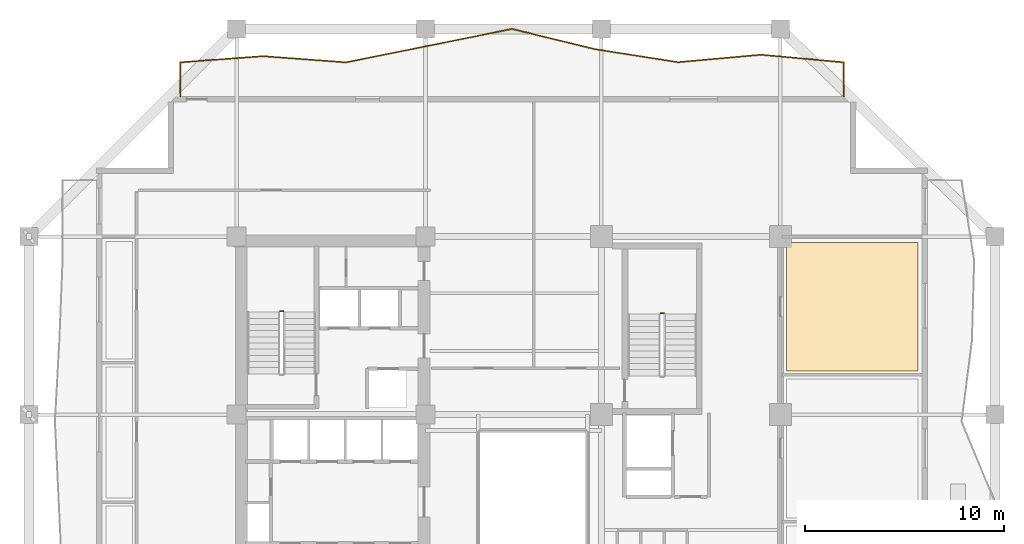
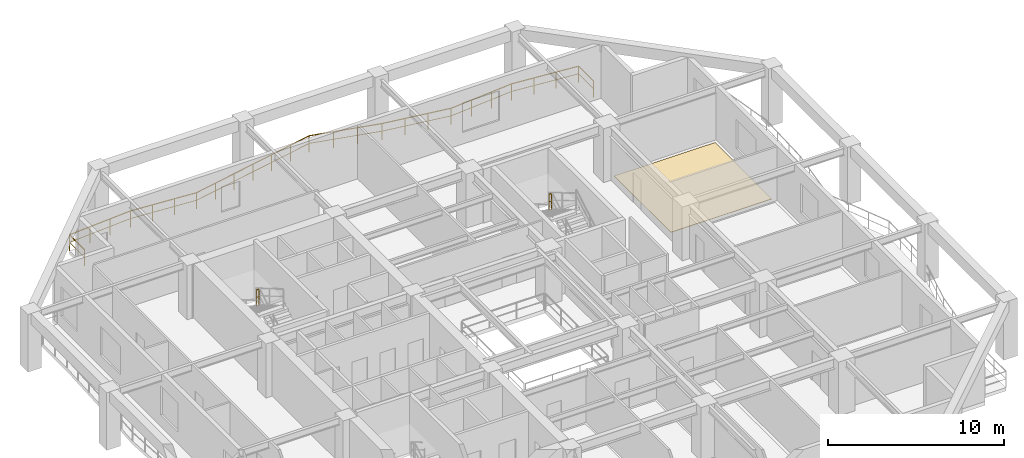
# One storey, part 10 of 11: 3 railings, 1 covering.
"""IFC4 building model written with IfcOpenShell, lengths in metres."""

from ifc_helpers import new_model, si_unit, direction, frame, origin, origin_2d, place, context, subcontext, project, spatial, polyline, rectangle, outline, extrude, material, layer, layer_set, type_object, element, save


model = new_model("IFC4")

# Units and contexts
model_context = context("Model", 3, precision=1e-05, world=origin(), true_north=direction((0.0, 1.0)))
body_context = subcontext(model_context, "Body", "Model", "MODEL_VIEW")
ifc_project = project(units=[si_unit("LENGTHUNIT", "METRE"), si_unit("AREAUNIT", "SQUARE_METRE"), si_unit("VOLUMEUNIT", "CUBIC_METRE"), si_unit("PLANEANGLEUNIT", "RADIAN"), si_unit("MASSUNIT", "GRAM", prefix="KILO")], contexts=[model_context])

# Site, building, storey
site_placement = place(None, origin())
site = spatial("IfcSite", under=ifc_project, at=site_placement, CompositionType="ELEMENT")
building_placement = place(site_placement, origin())
building = spatial("IfcBuilding", under=site, at=building_placement, Name="Kundavana Baori Tower", CompositionType="ELEMENT")
storey_placement = place(building_placement, frame((0.0, 0.0, 86.0)))
storey = spatial("IfcBuildingStorey", under=building, at=storey_placement, Name="L20", CompositionType="ELEMENT", Elevation=86.0)

# Covering
ifc_material_1 = material(Name="Honed Kota Stone and Terrazzo Flooring", Category="masonry")
ifc_layer = layer(ifc_material_1, 0.030029296875, Name="COV-INT-FLR")
ifc_layer_set = layer_set([ifc_layer], Name="Honed Kota Stone and Terrazzo Flooring")
covering_type = type_object("IfcCoveringType", Name="COV-INT-FLR", PredefinedType="FLOORING", material=ifc_layer_set)
covering_placement = place(storey_placement, origin())
element("IfcCovering", 1, at=covering_placement, inside=storey, type_object=covering_type, Name="L20 Room Finished Stone Flooring 11", PredefinedType="FLOORING", context=body_context, shape_type="SweptSolid", body=[
    extrude(outline(polyline([(43.10009765625, 35.199951171875), (49.719970703125, 35.199951171875), (49.719970703125, 41.64990234375), (43.10009765625, 41.64990234375), (43.10009765625, 35.199951171875)])), origin(), (0.0, 0.0, 1.0), 0.030029296875),
])

# Railings
ifc_material_2 = material(Name="Architectural Patinated Bronze Metalwork")
railing_type_1 = type_object("IfcRailingType", Name="RL-BAL-1150", PredefinedType="BALUSTRADE", material=ifc_material_2)
railing_1_placement = place(storey_placement, frame((12.60009765625, 49.0, 0.0)))
element("IfcRailing", 2, at=railing_1_placement, inside=storey, type_object=railing_type_1, Name="L20 Loggia Balcony Balustrade N", PredefinedType="BALUSTRADE", context=body_context, shape_type="SweptSolid", body=[
    extrude(rectangle(XDim=0.048095703125, YDim=0.048095703125, at=origin_2d()), frame((0.0, 0.0, 1.1259765625), z_axis=(0.0, 1.0, 0.0), x_axis=(-1.0, 0.0, 0.0)), (0.0, 0.0, 1.0), 1.719970703125),
    extrude(rectangle(XDim=0.03125, YDim=0.03125, at=origin_2d()), frame((0.0, 0.0, 0.597900390625), z_axis=(0.0, 1.0, 0.0), x_axis=(-1.0, 0.0, 0.0)), (0.0, 0.0, 1.0), 1.719970703125),
    extrude(rectangle(XDim=0.048095703125, YDim=0.048095703125, at=origin_2d()), frame((0.0, 1.719970703125, 1.1259765625), z_axis=(0.997218847602, 0.074528987558, 0.0), x_axis=(-0.074528987558, 0.997218847602, 0.0)), (0.0, 0.0, 1.0), 4.1865234375),
    extrude(rectangle(XDim=0.03125, YDim=0.03125, at=origin_2d()), frame((0.0, 1.719970703125, 0.597900390625), z_axis=(0.997218847602, 0.074528987558, 0.0), x_axis=(-0.074528987558, 0.997218847602, 0.0)), (0.0, 0.0, 1.0), 4.1865234375),
    extrude(rectangle(XDim=0.048095703125, YDim=0.048095703125, at=origin_2d()), frame((4.1748046875, 2.031982421875, 1.1259765625), z_axis=(0.997236479656, -0.074292689029, 0.0), x_axis=(0.074292689029, 0.997236479656, 0.0)), (0.0, 0.0, 1.0), 4.1865234375),
    extrude(rectangle(XDim=0.03125, YDim=0.03125, at=origin_2d()), frame((4.1748046875, 2.031982421875, 0.597900390625), z_axis=(0.997236479656, -0.074292689029, 0.0), x_axis=(0.074292689029, 0.997236479656, 0.0)), (0.0, 0.0, 1.0), 4.1865234375),
    extrude(rectangle(XDim=0.048095703125, YDim=0.048095703125, at=origin_2d()), frame((8.349853515625, 1.720947265625, 1.1259765625), z_axis=(0.980261915686, 0.197703254032, 0.0), x_axis=(-0.197703254032, 0.980261915686, 0.0)), (0.0, 0.0, 1.0), 4.259033203125),
    extrude(rectangle(XDim=0.03125, YDim=0.03125, at=origin_2d()), frame((8.349853515625, 1.720947265625, 0.597900390625), z_axis=(0.980261915686, 0.197703254032, 0.0), x_axis=(-0.197703254032, 0.980261915686, 0.0)), (0.0, 0.0, 1.0), 4.259033203125),
    extrude(rectangle(XDim=0.048095703125, YDim=0.048095703125, at=origin_2d()), frame((12.52490234375, 2.56298828125, 1.1259765625), z_axis=(0.980494578136, 0.196546132615, 0.0), x_axis=(-0.196546132615, 0.980494578136, 0.0)), (0.0, 0.0, 1.0), 4.258056640625),
    extrude(rectangle(XDim=0.03125, YDim=0.03125, at=origin_2d()), frame((12.52490234375, 2.56298828125, 0.597900390625), z_axis=(0.980494578136, 0.196546132615, 0.0), x_axis=(-0.196546132615, 0.980494578136, 0.0)), (0.0, 0.0, 1.0), 4.258056640625),
    extrude(rectangle(XDim=0.048095703125, YDim=0.048095703125, at=origin_2d()), frame((16.699951171875, 3.39990234375, 1.1259765625), z_axis=(0.971702860803, -0.236206583963, 0.0), x_axis=(0.236206583963, 0.971702860803, 0.0)), (0.0, 0.0, 1.0), 4.296630859375),
    extrude(rectangle(XDim=0.03125, YDim=0.03125, at=origin_2d()), frame((16.699951171875, 3.39990234375, 0.597900390625), z_axis=(0.971702860803, -0.236206583963, 0.0), x_axis=(0.236206583963, 0.971702860803, 0.0)), (0.0, 0.0, 1.0), 4.296630859375),
    extrude(rectangle(XDim=0.048095703125, YDim=0.048095703125, at=origin_2d()), frame((20.875, 2.385009765625, 1.1259765625), z_axis=(0.987878391011, -0.155229779921, 0.0), x_axis=(0.155229779921, 0.987878391011, 0.0)), (0.0, 0.0, 1.0), 4.22607421875),
    extrude(rectangle(XDim=0.03125, YDim=0.03125, at=origin_2d()), frame((20.875, 2.385009765625, 0.597900390625), z_axis=(0.987878391011, -0.155229779921, 0.0), x_axis=(0.155229779921, 0.987878391011, 0.0)), (0.0, 0.0, 1.0), 4.22607421875),
    extrude(rectangle(XDim=0.048095703125, YDim=0.048095703125, at=origin_2d()), frame((25.0498046875, 1.72900390625, 1.1259765625), z_axis=(0.995948869325, 0.0899213528, 0.0), x_axis=(-0.0899213528, 0.995948869325, 0.0)), (0.0, 0.0, 1.0), 4.192138671875),
    extrude(rectangle(XDim=0.03125, YDim=0.03125, at=origin_2d()), frame((25.0498046875, 1.72900390625, 0.597900390625), z_axis=(0.995948869325, 0.0899213528, 0.0), x_axis=(-0.0899213528, 0.995948869325, 0.0)), (0.0, 0.0, 1.0), 4.192138671875),
    extrude(rectangle(XDim=0.048095703125, YDim=0.048095703125, at=origin_2d()), frame((29.224853515625, 2.10595703125, 1.1259765625), z_axis=(0.995753632316, -0.092058154066, 0.0), x_axis=(0.092058154066, 0.995753632316, 0.0)), (0.0, 0.0, 1.0), 4.19287109375),
    extrude(rectangle(XDim=0.03125, YDim=0.03125, at=origin_2d()), frame((29.224853515625, 2.10595703125, 0.597900390625), z_axis=(0.995753632316, -0.092058154066, 0.0), x_axis=(0.092058154066, 0.995753632316, 0.0)), (0.0, 0.0, 1.0), 4.19287109375),
    extrude(rectangle(XDim=0.048095703125, YDim=0.048095703125, at=origin_2d()), frame((33.39990234375, 1.719970703125, 1.1259765625), z_axis=(0.0, -1.0, 0.0), x_axis=(1.0, 0.0, 0.0)), (0.0, 0.0, 1.0), 1.719970703125),
    extrude(rectangle(XDim=0.03125, YDim=0.03125, at=origin_2d()), frame((33.39990234375, 1.719970703125, 0.597900390625), z_axis=(0.0, -1.0, 0.0), x_axis=(1.0, 0.0, 0.0)), (0.0, 0.0, 1.0), 1.719970703125),
    extrude(rectangle(XDim=0.0419921875, YDim=0.0419921875, at=origin_2d()), origin(), (0.0, 0.0, 1.0), 1.101806640625),
    extrude(rectangle(XDim=0.0419921875, YDim=0.0419921875, at=origin_2d()), frame((0.0, 1.719970703125, 0.0)), (0.0, 0.0, 1.0), 1.101806640625),
    extrude(rectangle(XDim=0.0419921875, YDim=0.0419921875, at=origin_2d()), frame((1.3916015625, 1.823974609375, 0.0)), (0.0, 0.0, 1.0), 1.101806640625),
    extrude(rectangle(XDim=0.0419921875, YDim=0.0419921875, at=origin_2d()), frame((2.783203125, 1.927978515625, 0.0)), (0.0, 0.0, 1.0), 1.101806640625),
    extrude(rectangle(XDim=0.0419921875, YDim=0.0419921875, at=origin_2d()), frame((4.1748046875, 2.031982421875, 0.0)), (0.0, 0.0, 1.0), 1.101806640625),
    extrude(rectangle(XDim=0.0419921875, YDim=0.0419921875, at=origin_2d()), frame((5.56640625, 1.92822265625, 0.0)), (0.0, 0.0, 1.0), 1.101806640625),
    extrude(rectangle(XDim=0.0419921875, YDim=0.0419921875, at=origin_2d()), frame((6.958251953125, 1.82470703125, 0.0)), (0.0, 0.0, 1.0), 1.101806640625),
    extrude(rectangle(XDim=0.0419921875, YDim=0.0419921875, at=origin_2d()), frame((8.349853515625, 1.720947265625, 0.0)), (0.0, 0.0, 1.0), 1.101806640625),
    extrude(rectangle(XDim=0.0419921875, YDim=0.0419921875, at=origin_2d()), frame((9.741455078125, 2.001708984375, 0.0)), (0.0, 0.0, 1.0), 1.101806640625),
    extrude(rectangle(XDim=0.0419921875, YDim=0.0419921875, at=origin_2d()), frame((11.13330078125, 2.2822265625, 0.0)), (0.0, 0.0, 1.0), 1.101806640625),
    extrude(rectangle(XDim=0.0419921875, YDim=0.0419921875, at=origin_2d()), frame((12.52490234375, 2.56298828125, 0.0)), (0.0, 0.0, 1.0), 1.101806640625),
    extrude(rectangle(XDim=0.0419921875, YDim=0.0419921875, at=origin_2d()), frame((13.91650390625, 2.842041015625, 0.0)), (0.0, 0.0, 1.0), 1.101806640625),
    extrude(rectangle(XDim=0.0419921875, YDim=0.0419921875, at=origin_2d()), frame((15.308349609375, 3.120849609375, 0.0)), (0.0, 0.0, 1.0), 1.101806640625),
    extrude(rectangle(XDim=0.0419921875, YDim=0.0419921875, at=origin_2d()), frame((16.699951171875, 3.39990234375, 0.0)), (0.0, 0.0, 1.0), 1.101806640625),
    extrude(rectangle(XDim=0.0419921875, YDim=0.0419921875, at=origin_2d()), frame((18.091552734375, 3.0615234375, 0.0)), (0.0, 0.0, 1.0), 1.101806640625),
    extrude(rectangle(XDim=0.0419921875, YDim=0.0419921875, at=origin_2d()), frame((19.4833984375, 2.723388671875, 0.0)), (0.0, 0.0, 1.0), 1.101806640625),
    extrude(rectangle(XDim=0.0419921875, YDim=0.0419921875, at=origin_2d()), frame((20.875, 2.385009765625, 0.0)), (0.0, 0.0, 1.0), 1.101806640625),
    extrude(rectangle(XDim=0.0419921875, YDim=0.0419921875, at=origin_2d()), frame((22.2666015625, 2.166259765625, 0.0)), (0.0, 0.0, 1.0), 1.101806640625),
    extrude(rectangle(XDim=0.0419921875, YDim=0.0419921875, at=origin_2d()), frame((23.658203125, 1.94775390625, 0.0)), (0.0, 0.0, 1.0), 1.101806640625),
    extrude(rectangle(XDim=0.0419921875, YDim=0.0419921875, at=origin_2d()), frame((25.0498046875, 1.72900390625, 0.0)), (0.0, 0.0, 1.0), 1.101806640625),
    extrude(rectangle(XDim=0.0419921875, YDim=0.0419921875, at=origin_2d()), frame((26.44140625, 1.854736328125, 0.0)), (0.0, 0.0, 1.0), 1.101806640625),
    extrude(rectangle(XDim=0.0419921875, YDim=0.0419921875, at=origin_2d()), frame((27.833251953125, 1.980224609375, 0.0)), (0.0, 0.0, 1.0), 1.101806640625),
    extrude(rectangle(XDim=0.0419921875, YDim=0.0419921875, at=origin_2d()), frame((29.224853515625, 2.10595703125, 0.0)), (0.0, 0.0, 1.0), 1.101806640625),
    extrude(rectangle(XDim=0.0419921875, YDim=0.0419921875, at=origin_2d()), frame((30.616455078125, 1.977294921875, 0.0)), (0.0, 0.0, 1.0), 1.101806640625),
    extrude(rectangle(XDim=0.0419921875, YDim=0.0419921875, at=origin_2d()), frame((32.00830078125, 1.8486328125, 0.0)), (0.0, 0.0, 1.0), 1.101806640625),
    extrude(rectangle(XDim=0.0419921875, YDim=0.0419921875, at=origin_2d()), frame((33.39990234375, 1.719970703125, 0.0)), (0.0, 0.0, 1.0), 1.101806640625),
    extrude(rectangle(XDim=0.0419921875, YDim=0.0419921875, at=origin_2d()), frame((33.39990234375, 0.0, 0.0)), (0.0, 0.0, 1.0), 1.101806640625),
])
ifc_material_3 = material(Name="Architectural Patinated Bronze Metalwork")
railing_type_2 = type_object("IfcRailingType", Name="RL-GRD-1150", PredefinedType="GUARDRAIL", material=ifc_material_3)
railing_2_placement = place(storey_placement, frame((17.7900390625, 38.199951171875, 2.0)))
element("IfcRailing", 3, at=railing_2_placement, inside=storey, type_object=railing_type_2, Name="L20 ST2 stair guard 2", PredefinedType="GUARDRAIL", context=body_context, shape_type="SweptSolid", body=[
    extrude(rectangle(XDim=0.048095703125, YDim=0.048095703125, at=origin_2d()), frame((0.0, 0.0, 1.1259765625), z_axis=(-1.0, 0.0, 0.0), x_axis=(0.0, -1.0, 0.0)), (0.0, 0.0, 1.0), 0.16015625),
    extrude(rectangle(XDim=0.03125, YDim=0.03125, at=origin_2d()), frame((0.0, 0.0, 0.597900390625), z_axis=(-1.0, 0.0, 0.0), x_axis=(0.0, -1.0, 0.0)), (0.0, 0.0, 1.0), 0.16015625),
    extrude(rectangle(XDim=0.0419921875, YDim=0.0419921875, at=origin_2d()), origin(), (0.0, 0.0, 1.0), 1.101806640625),
    extrude(rectangle(XDim=0.0419921875, YDim=0.0419921875, at=origin_2d()), frame((-0.16015625, 0.0, 0.0)), (0.0, 0.0, 1.0), 1.101806640625),
])
railing_3_placement = place(storey_placement, frame((36.929931640625, 38.10009765625, 2.0)))
element("IfcRailing", 4, at=railing_3_placement, inside=storey, type_object=railing_type_2, Name="L20 ST3 stair guard 2", PredefinedType="GUARDRAIL", context=body_context, shape_type="SweptSolid", body=[
    extrude(rectangle(XDim=0.048095703125, YDim=0.048095703125, at=origin_2d()), frame((0.0, 0.0, 1.1259765625), z_axis=(-1.0, 0.0, 0.0), x_axis=(0.0, -1.0, 0.0)), (0.0, 0.0, 1.0), 0.159912109375),
    extrude(rectangle(XDim=0.03125, YDim=0.03125, at=origin_2d()), frame((0.0, 0.0, 0.597900390625), z_axis=(-1.0, 0.0, 0.0), x_axis=(0.0, -1.0, 0.0)), (0.0, 0.0, 1.0), 0.159912109375),
    extrude(rectangle(XDim=0.0419921875, YDim=0.0419921875, at=origin_2d()), origin(), (0.0, 0.0, 1.0), 1.101806640625),
    extrude(rectangle(XDim=0.0419921875, YDim=0.0419921875, at=origin_2d()), frame((-0.159912109375, 0.0, 0.0)), (0.0, 0.0, 1.0), 1.101806640625),
])

save(model, "model.ifc")
